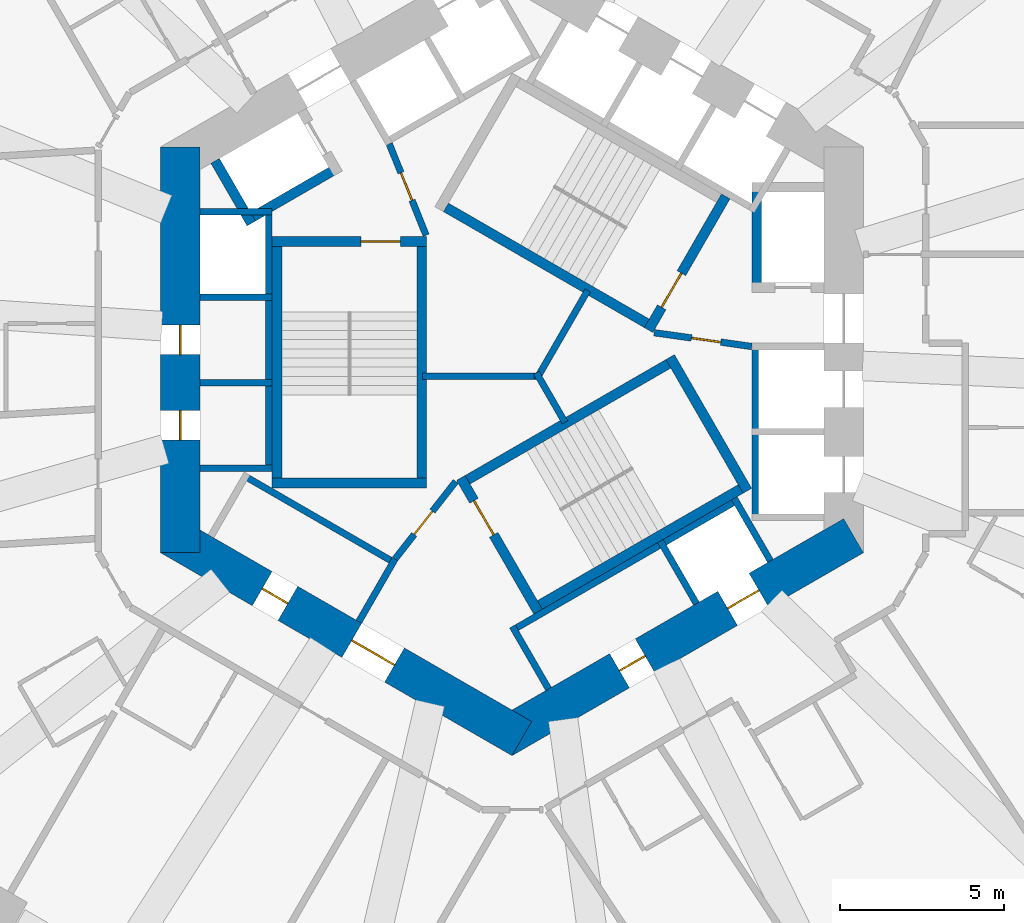
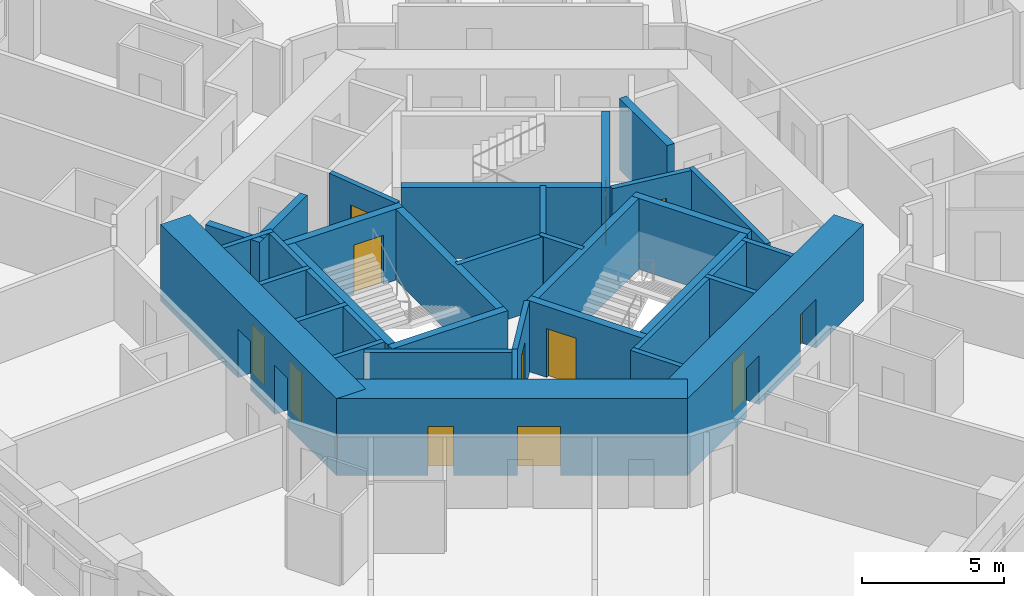
# One storey, part 5 of 12: 34 walls, 12 doors, 12 openings.
"""IFC4 building model written with IfcOpenShell, lengths in metres."""

from ifc_helpers import new_model, si_unit, direction, frame, frame_2d, origin, place, context, subcontext, project, spatial, rectangle, extrude, material, layer, layer_set, type_object, element, fill, save


model = new_model("IFC4")

# Units and contexts
model_context = context("Model", 3, precision=1e-05, world=origin(), true_north=direction((0.0, 1.0)))
body_context = subcontext(model_context, "Body", "Model", "MODEL_VIEW")
ifc_project = project(units=[si_unit("LENGTHUNIT", "METRE"), si_unit("AREAUNIT", "SQUARE_METRE"), si_unit("VOLUMEUNIT", "CUBIC_METRE"), si_unit("PLANEANGLEUNIT", "RADIAN"), si_unit("MASSUNIT", "GRAM", prefix="KILO")], contexts=[model_context])

# Site, building, storey
site_placement = place(None, origin())
site = spatial("IfcSite", under=ifc_project, at=site_placement, CompositionType="ELEMENT")
building_placement = place(site_placement, origin())
building = spatial("IfcBuilding", under=site, at=building_placement, Name="Vanh Sen Convention Tower", CompositionType="ELEMENT")
storey_placement = place(building_placement, frame((0.0, 0.0, 63.800048828125)))
storey = spatial("IfcBuildingStorey", under=building, at=storey_placement, Name="L13", CompositionType="ELEMENT", Elevation=63.800048828125)

# Wall, openings, doors
ifc_material_1 = material(Name="Concrete C80/95", Category="concrete")
ifc_layer_1 = layer(ifc_material_1, 1.199951171875)
ifc_layer_set_1 = layer_set([ifc_layer_1], Name="Concrete C80/95")
wall_type_1 = type_object("IfcWallType", Name="Core outer wall 1200 C80/95", PredefinedType="SHEAR", material=ifc_layer_set_1)
wall_1_placement = place(storey_placement, frame((-10.10009765625, 6.177490234375, 0.0), z_axis=(0.0, 0.0, 1.0), x_axis=(0.0, -1.0, 0.0)))
wall_1 = element("IfcWall", 1, at=wall_1_placement, inside=storey, type_object=wall_type_1, Name="Core wall face W L13", PredefinedType="SHEAR", context=body_context, shape_type="SweptSolid", body=[
    extrude(rectangle(XDim=12.35498046875, YDim=1.199951171875, at=frame_2d((6.177490234375, 0.0))), origin(), (0.0, 0.0, 1.0), 3.300048828125),
])
opening_1_placement = place(wall_1_placement, frame((5.427490234375, 0.0, 0.0)))
opening_1 = element("IfcOpeningElement", 2, at=opening_1_placement, cuts=wall_1, Name="Opening D13010", PredefinedType="OPENING", context=body_context, shape_type="SweptSolid", body=[
    extrude(rectangle(XDim=0.89990234375, YDim=2.10009765625, at=frame_2d((0.449951171875, 1.050048828125))), frame((0.0, 0.60986328125, 0.0), z_axis=(0.0, -1.0, 0.0), x_axis=(1.0, 0.0, 0.0)), (0.0, 0.0, 1.0), 1.219970703125),
])
opening_2_placement = place(wall_1_placement, frame((8.027587890625, 0.0, 0.0)))
opening_2 = element("IfcOpeningElement", 3, at=opening_2_placement, cuts=wall_1, Name="Opening D13011", PredefinedType="OPENING", context=body_context, shape_type="SweptSolid", body=[
    extrude(rectangle(XDim=0.89990234375, YDim=2.10009765625, at=frame_2d((0.449951171875, 1.050048828125))), frame((0.0, 0.60986328125, 0.0), z_axis=(0.0, -1.0, 0.0), x_axis=(1.0, 0.0, 0.0)), (0.0, 0.0, 1.0), 1.219970703125),
])
ifc_material_2 = material(Name="Steel S355", Category="steel")
door_type_1 = type_object("IfcDoorType", Name="Plant door 900", OperationType="SINGLE_SWING_LEFT", PredefinedType="DOOR", material=ifc_material_2)
door_1_placement = place(opening_1_placement, origin())
door_1 = element("IfcDoor", 4, at=door_1_placement, inside=storey, type_object=door_type_1, Name="Plant door D13010", OperationType="SINGLE_SWING_LEFT", OverallHeight=2.10009765625, OverallWidth=0.89990234375, PredefinedType="DOOR", context=body_context, shape_type="SweptSolid", body=[
    extrude(rectangle(XDim=0.89990234375, YDim=2.10009765625, at=frame_2d((0.449951171875, 1.050048828125))), frame((0.0, 0.02490234375, 0.0), z_axis=(0.0, -1.0, 0.0), x_axis=(1.0, 0.0, 0.0)), (0.0, 0.0, 1.0), 0.050048828125),
])
fill(opening_1, door_1)
door_2_placement = place(opening_2_placement, origin())
door_2 = element("IfcDoor", 5, at=door_2_placement, inside=storey, type_object=door_type_1, Name="Plant door D13011", OperationType="SINGLE_SWING_LEFT", OverallHeight=2.10009765625, OverallWidth=0.89990234375, PredefinedType="DOOR", context=body_context, shape_type="SweptSolid", body=[
    extrude(rectangle(XDim=0.89990234375, YDim=2.10009765625, at=frame_2d((0.449951171875, 1.050048828125))), frame((0.0, 0.02490234375, 0.0), z_axis=(0.0, -1.0, 0.0), x_axis=(1.0, 0.0, 0.0)), (0.0, 0.0, 1.0), 0.050048828125),
])
fill(opening_2, door_2)

wall_2_placement = place(storey_placement, frame((-10.39990234375, -5.657958984375, 0.0), z_axis=(0.0, 0.0, 1.0), x_axis=(0.866021384402, -0.500006961711, 0.0)))
wall_2 = element("IfcWall", 6, at=wall_2_placement, inside=storey, type_object=wall_type_1, Name="Core wall face SW L13", PredefinedType="SHEAR", context=body_context, shape_type="SweptSolid", body=[
    extrude(rectangle(XDim=12.355224609375, YDim=1.199951171875, at=frame_2d((6.177734375, 0.0))), origin(), (0.0, 0.0, 1.0), 3.300048828125),
])
opening_3_placement = place(wall_2_placement, frame((6.377685546875, 0.0, 0.0)))
opening_3 = element("IfcOpeningElement", 7, at=opening_3_placement, cuts=wall_2, Name="Opening D13003", PredefinedType="OPENING", context=body_context, shape_type="SweptSolid", body=[
    extrude(rectangle(XDim=1.5, YDim=2.10009765625, at=frame_2d((0.75, 1.050048828125))), frame((0.0, 0.60986328125, 0.0), z_axis=(0.0, -1.0, 0.0), x_axis=(1.0, 0.0, 0.0)), (0.0, 0.0, 1.0), 1.219970703125),
])
opening_4_placement = place(wall_2_placement, frame((3.227783203125, 0.0, 0.0)))
opening_4 = element("IfcOpeningElement", 8, at=opening_4_placement, cuts=wall_2, Name="Opening D13012", PredefinedType="OPENING", context=body_context, shape_type="SweptSolid", body=[
    extrude(rectangle(XDim=0.89990234375, YDim=2.10009765625, at=frame_2d((0.449951171875, 1.050048828125))), frame((0.0, 0.60986328125, 0.0), z_axis=(0.0, -1.0, 0.0), x_axis=(1.0, 0.0, 0.0)), (0.0, 0.0, 1.0), 1.219970703125),
])
door_3_placement = place(opening_4_placement, origin())
door_3 = element("IfcDoor", 9, at=door_3_placement, inside=storey, type_object=door_type_1, Name="Plant door D13012", OperationType="SINGLE_SWING_LEFT", OverallHeight=2.10009765625, OverallWidth=0.89990234375, PredefinedType="DOOR", context=body_context, shape_type="SweptSolid", body=[
    extrude(rectangle(XDim=0.89990234375, YDim=2.10009765625, at=frame_2d((0.449951171875, 1.050048828125))), frame((0.0, 0.02490234375, 0.0), z_axis=(0.0, -1.0, 0.0), x_axis=(1.0, 0.0, 0.0)), (0.0, 0.0, 1.0), 0.050048828125),
])
fill(opening_4, door_3)
door_type_2 = type_object("IfcDoorType", Name="Stair lobby door 1500", OperationType="DOUBLE_DOOR_SINGLE_SWING", PredefinedType="DOOR", material=ifc_material_2)
door_4_placement = place(opening_3_placement, origin())
door_4 = element("IfcDoor", 10, at=door_4_placement, inside=storey, type_object=door_type_2, Name="Stair lobby door D13003", OperationType="DOUBLE_DOOR_SINGLE_SWING", OverallHeight=2.10009765625, OverallWidth=1.5, PredefinedType="DOOR", context=body_context, shape_type="SweptSolid", body=[
    extrude(rectangle(XDim=1.5, YDim=2.10009765625, at=frame_2d((0.75, 1.050048828125))), frame((0.0, 0.02490234375, 0.0), z_axis=(0.0, -1.0, 0.0), x_axis=(1.0, 0.0, 0.0)), (0.0, 0.0, 1.0), 0.050048828125),
])
fill(opening_3, door_4)

wall_3_placement = place(storey_placement, frame((-0.300048828125, -11.835693359375, 0.0), z_axis=(0.0, 0.0, 1.0), x_axis=(0.866021384402, 0.500006961711, 0.0)))
wall_3 = element("IfcWall", 11, at=wall_3_placement, inside=storey, type_object=wall_type_1, Name="Core wall face SE L13", PredefinedType="SHEAR", context=body_context, shape_type="SweptSolid", body=[
    extrude(rectangle(XDim=12.355224609375, YDim=1.199951171875, at=frame_2d((6.177734375, 0.0))), origin(), (0.0, 0.0, 1.0), 3.300048828125),
])
opening_5_placement = place(wall_3_placement, frame((4.127685546875, 0.0, 0.0)))
opening_5 = element("IfcOpeningElement", 12, at=opening_5_placement, cuts=wall_3, Name="Opening D13013", PredefinedType="OPENING", context=body_context, shape_type="SweptSolid", body=[
    extrude(rectangle(XDim=0.89990234375, YDim=2.10009765625, at=frame_2d((0.449951171875, 1.050048828125))), frame((0.0, 0.60986328125, 0.0), z_axis=(0.0, -1.0, 0.0), x_axis=(1.0, 0.0, 0.0)), (0.0, 0.0, 1.0), 1.219970703125),
])
opening_6_placement = place(wall_3_placement, frame((7.927734375, 0.0, 0.0)))
opening_6 = element("IfcOpeningElement", 13, at=opening_6_placement, cuts=wall_3, Name="Opening LD-SV1", PredefinedType="OPENING", context=body_context, shape_type="SweptSolid", body=[
    extrude(rectangle(XDim=1.10009765625, YDim=2.10009765625, at=frame_2d((0.550048828125, 1.050048828125))), frame((0.0, 0.60986328125, 0.0), z_axis=(0.0, -1.0, 0.0), x_axis=(1.0, 0.0, 0.0)), (0.0, 0.0, 1.0), 1.219970703125),
])
ifc_material_3 = material(Name="Stainless steel", Category="steel")
door_type_3 = type_object("IfcDoorType", Name="Lift landing door 1100", OperationType="DOUBLE_DOOR_SLIDING", PredefinedType="DOOR", material=ifc_material_3)
door_5_placement = place(opening_6_placement, origin())
door_5 = element("IfcDoor", 14, at=door_5_placement, inside=storey, type_object=door_type_3, Name="Lift SV1 landing door LD-SV1", OperationType="DOUBLE_DOOR_SLIDING", OverallHeight=2.10009765625, OverallWidth=1.10009765625, PredefinedType="DOOR", context=body_context, shape_type="SweptSolid", body=[
    extrude(rectangle(XDim=1.10009765625, YDim=2.10009765625, at=frame_2d((0.550048828125, 1.050048828125))), frame((0.0, 0.02490234375, 0.0), z_axis=(0.0, -1.0, 0.0), x_axis=(1.0, 0.0, 0.0)), (0.0, 0.0, 1.0), 0.050048828125),
])
fill(opening_6, door_5)
door_6_placement = place(opening_5_placement, origin())
door_6 = element("IfcDoor", 15, at=door_6_placement, inside=storey, type_object=door_type_1, Name="Plant door D13013", OperationType="SINGLE_SWING_LEFT", OverallHeight=2.10009765625, OverallWidth=0.89990234375, PredefinedType="DOOR", context=body_context, shape_type="SweptSolid", body=[
    extrude(rectangle(XDim=0.89990234375, YDim=2.10009765625, at=frame_2d((0.449951171875, 1.050048828125))), frame((0.0, 0.02490234375, 0.0), z_axis=(0.0, -1.0, 0.0), x_axis=(1.0, 0.0, 0.0)), (0.0, 0.0, 1.0), 0.050048828125),
])
fill(opening_5, door_6)

# Walls
ifc_material_4 = material(Name="Masonry blockwork", Category="masonry")
ifc_layer_2 = layer(ifc_material_4, 0.199951171875)
ifc_layer_set_2 = layer_set([ifc_layer_2], Name="Masonry blockwork")
wall_type_2 = type_object("IfcWallType", Name="Core partition 200", PredefinedType="PARTITIONING", material=ifc_layer_set_2)
wall_4_placement = place(storey_placement, frame((0.919921875, -0.800048828125, 0.0), z_axis=(0.0, 0.0, 1.0), x_axis=(-1.0, 0.0, 0.0)))
element("IfcWall", 16, at=wall_4_placement, inside=storey, type_object=wall_type_2, Name="Core partition L13", PredefinedType="PARTITIONING", context=body_context, shape_type="SweptSolid", body=[
    extrude(rectangle(XDim=3.639892578125, YDim=0.199951171875, at=frame_2d((1.81982421875, 0.0))), origin(), (0.0, 0.0, 1.0), 3.050048828125),
])
wall_5_placement = place(storey_placement, frame((0.739990234375, -0.90380859375, 0.0), z_axis=(0.0, 0.0, 1.0), x_axis=(0.500028278809, 0.866009076391, 0.0)))
element("IfcWall", 17, at=wall_5_placement, inside=storey, type_object=wall_type_2, Name="Core partition L13", PredefinedType="PARTITIONING", context=body_context, shape_type="SweptSolid", body=[
    extrude(rectangle(XDim=3.132568359375, YDim=0.199951171875, at=frame_2d((1.56640625, 0.0))), origin(), (0.0, 0.0, 1.0), 3.050048828125),
])
wall_6_placement = place(storey_placement, frame((0.739990234375, -0.696044921875, 0.0), z_axis=(0.0, 0.0, 1.0), x_axis=(0.499956301907, -0.86605063142, 0.0)))
element("IfcWall", 18, at=wall_6_placement, inside=storey, type_object=wall_type_2, Name="Core partition L13", PredefinedType="PARTITIONING", context=body_context, shape_type="SweptSolid", body=[
    extrude(rectangle(XDim=1.747314453125, YDim=0.199951171875, at=frame_2d((0.87353515625, 0.0))), origin(), (0.0, 0.0, 1.0), 3.050048828125),
])
ifc_material_5 = material(Name="Concrete C60/75", Category="concrete")
ifc_layer_3 = layer(ifc_material_5, 0.300048828125)
ifc_layer_set_3 = layer_set([ifc_layer_3], Name="Concrete C60/75")
wall_type_3 = type_object("IfcWallType", Name="Fire-fighting lift shaft wall 300", PredefinedType="SHEAR", material=ifc_layer_set_3)
wall_7_placement = place(storey_placement, frame((7.449951171875, 1.75, 0.0), z_axis=(0.0, 0.0, 1.0), x_axis=(0.0, 1.0, 0.0)))
element("IfcWall", 19, at=wall_7_placement, inside=storey, type_object=wall_type_3, Name="Fire-fighting lift shaft wall L13", PredefinedType="SHEAR", context=body_context, shape_type="SweptSolid", body=[
    extrude(rectangle(XDim=3.35009765625, YDim=0.300048828125, at=frame_2d((1.675048828125, 0.0))), origin(), (0.0, 0.0, 1.0), 3.050048828125),
])
wall_8_placement = place(storey_placement, frame((-5.240478515625, 5.576904296875, 0.0), z_axis=(0.0, 0.0, 1.0), x_axis=(-0.866014461049, -0.500018952895, 0.0)))
element("IfcWall", 20, at=wall_8_placement, inside=storey, type_object=wall_type_3, Name="Fire-fighting lift shaft wall L13", PredefinedType="SHEAR", context=body_context, shape_type="SweptSolid", body=[
    extrude(rectangle(XDim=3.349853515625, YDim=0.300048828125, at=frame_2d((1.6748046875, 0.0))), origin(), (0.0, 0.0, 1.0), 3.050048828125),
])
wall_9_placement = place(storey_placement, frame((-7.936767578125, 3.846923828125, 0.0), z_axis=(0.0, 0.0, 1.0), x_axis=(-0.50002983664, 0.866008176907, 0.0)))
element("IfcWall", 21, at=wall_9_placement, inside=storey, type_object=wall_type_3, Name="Fire-fighting lift shaft wall L13", PredefinedType="SHEAR", context=body_context, shape_type="SweptSolid", body=[
    extrude(rectangle(XDim=2.199951171875, YDim=0.300048828125, at=frame_2d((1.10009765625, 0.0))), origin(), (0.0, 0.0, 1.0), 3.050048828125),
])
ifc_material_6 = material(Name="Concrete C40/50", Category="concrete")
ifc_layer_4 = layer(ifc_material_6, 0.199951171875)
ifc_layer_set_4 = layer_set([ifc_layer_4], Name="Concrete C40/50")
wall_type_4 = type_object("IfcWallType", Name="Lift shaft wall 200", PredefinedType="PARTITIONING", material=ifc_layer_set_4)
wall_10_placement = place(storey_placement, frame((7.39990234375, -5.199951171875, 0.0), z_axis=(0.0, 0.0, 1.0), x_axis=(0.0, 1.0, 0.0)))
element("IfcWall", 22, at=wall_10_placement, inside=storey, type_object=wall_type_4, Name="Lift shaft wall L13", PredefinedType="PARTITIONING", context=body_context, shape_type="SweptSolid", body=[
    extrude(rectangle(XDim=5.39990234375, YDim=0.199951171875, at=frame_2d((2.699951171875, 0.0))), origin(), (0.0, 0.0, 1.0), 3.050048828125),
])
wall_11_placement = place(storey_placement, frame((-7.39990234375, 4.300048828125, 0.0), z_axis=(0.0, 0.0, 1.0), x_axis=(0.0, -1.0, 0.0)))
element("IfcWall", 23, at=wall_11_placement, inside=storey, type_object=wall_type_4, Name="Lift shaft wall L13", PredefinedType="PARTITIONING", context=body_context, shape_type="SweptSolid", body=[
    extrude(rectangle(XDim=8.0, YDim=0.199951171875, at=frame_2d((4.0, 0.0))), origin(), (0.0, 0.0, 1.0), 3.050048828125),
])
for number, where, z_axis, x_axis, name in (
    (24, (-7.300048828125, 4.199951171875, 0.0), (0.0, 0.0, 1.0), (-1.0, 0.0, 0.0), "Lift shaft wall L13"),
    (25, (-7.300048828125, 1.60009765625, 0.0), (0.0, 0.0, 1.0), (-1.0, 0.0, 0.0), "Lift shaft wall L13"),
    (26, (-7.300048828125, -1.0, 0.0), (0.0, 0.0, 1.0), (-1.0, 0.0, 0.0), "Lift shaft wall L13"),
    (27, (-7.300048828125, -3.60009765625, 0.0), (0.0, 0.0, 1.0), (-1.0, 0.0, 0.0), "Lift shaft wall L13"),
):
    element("IfcWall", number, at=place(storey_placement, frame(where, z_axis=z_axis, x_axis=x_axis)), inside=storey, type_object=wall_type_4, Name=name, PredefinedType="PARTITIONING", context=body_context, shape_type="SweptSolid", body=[
        extrude(rectangle(XDim=2.199951171875, YDim=0.199951171875, at=frame_2d((1.10009765625, 0.0))), origin(), (0.0, 0.0, 1.0), 3.050048828125),
    ])
wall_12_placement = place(storey_placement, frame((-8.203369140625, -3.80859375, 0.0), z_axis=(0.0, 0.0, 1.0), x_axis=(0.866028230842, -0.499995103361, 0.0)))
element("IfcWall", 28, at=wall_12_placement, inside=storey, type_object=wall_type_4, Name="Lift shaft wall L13", PredefinedType="PARTITIONING", context=body_context, shape_type="SweptSolid", body=[
    extrude(rectangle(XDim=5.39990234375, YDim=0.199951171875, at=frame_2d((2.699951171875, 0.0))), origin(), (0.0, 0.0, 1.0), 3.050048828125),
])
wall_13_placement = place(storey_placement, frame((-3.5634765625, -6.3720703125, 0.0), z_axis=(0.0, 0.0, 1.0), x_axis=(-0.499994660107, -0.866028486751, 0.0)))
element("IfcWall", 29, at=wall_13_placement, inside=storey, type_object=wall_type_4, Name="Lift shaft wall L13", PredefinedType="PARTITIONING", context=body_context, shape_type="SweptSolid", body=[
    extrude(rectangle(XDim=2.19970703125, YDim=0.199951171875, at=frame_2d((1.099853515625, 0.0))), origin(), (0.0, 0.0, 1.0), 3.050048828125),
])
wall_14_placement = place(storey_placement, frame((-0.02392578125, -8.55859375, 0.0), z_axis=(0.0, 0.0, 1.0), x_axis=(0.866026010844, 0.49999894854, 0.0)))
element("IfcWall", 30, at=wall_14_placement, inside=storey, type_object=wall_type_4, Name="Lift shaft wall L13", PredefinedType="PARTITIONING", context=body_context, shape_type="SweptSolid", body=[
    extrude(rectangle(XDim=8.0, YDim=0.199951171875, at=frame_2d((4.0, 0.0))), origin(), (0.0, 0.0, 1.0), 3.050048828125),
])
for number, where, z_axis, x_axis, name in (
    (31, (0.0126953125, -8.422119140625, 0.0), (0.0, 0.0, 1.0), (0.500077893725, -0.86598042715, 0.0), "Lift shaft wall L13"),
    (32, (4.51611328125, -5.822021484375, 0.0), (0.0, 0.0, 1.0), (0.499946605688, -0.86605622881, 0.0), "Lift shaft wall L13"),
    (33, (6.767578125, -4.52197265625, 0.0), (0.0, 0.0, 1.0), (0.50002983664, -0.866008176907, 0.0), "Lift shaft wall L13"),
):
    element("IfcWall", number, at=place(storey_placement, frame(where, z_axis=z_axis, x_axis=x_axis)), inside=storey, type_object=wall_type_4, Name=name, PredefinedType="PARTITIONING", context=body_context, shape_type="SweptSolid", body=[
        extrude(rectangle(XDim=2.199951171875, YDim=0.199951171875, at=frame_2d((1.10009765625, 0.0))), origin(), (0.0, 0.0, 1.0), 3.050048828125),
    ])

# Wall, opening, door
ifc_layer_5 = layer(ifc_material_6, 0.199951171875)
ifc_layer_set_5 = layer_set([ifc_layer_5], Name="Concrete C40/50")
wall_type_5 = type_object("IfcWallType", Name="Stair lobby wall 200", PredefinedType="PARTITIONING", material=ifc_layer_set_5)
wall_15_placement = place(storey_placement, frame((4.327392578125, 0.52099609375, 0.0), z_axis=(0.0, 0.0, 1.0), x_axis=(0.990124376366, -0.14019172346, 0.0)))
wall_15 = element("IfcWall", 34, at=wall_15_placement, inside=storey, type_object=wall_type_5, Name="Stair lobby wall L13", PredefinedType="PARTITIONING", context=body_context, shape_type="SweptSolid", body=[
    extrude(rectangle(XDim=3.002197265625, YDim=0.199951171875, at=frame_2d((1.5009765625, 0.0))), origin(), (0.0, 0.0, 1.0), 3.050048828125),
])
opening_7_placement = place(wall_15_placement, frame((1.14990234375, 0.0, 0.0)))
opening_7 = element("IfcOpeningElement", 35, at=opening_7_placement, cuts=wall_15, Name="Opening D13007", PredefinedType="OPENING", context=body_context, shape_type="SweptSolid", body=[
    extrude(rectangle(XDim=0.89990234375, YDim=2.10009765625, at=frame_2d((0.449951171875, 1.050048828125))), frame((0.0, 0.10986328125, 0.0), z_axis=(0.0, -1.0, 0.0), x_axis=(1.0, 0.0, 0.0)), (0.0, 0.0, 1.0), 0.219970703125),
])
door_7_placement = place(opening_7_placement, origin())
door_7 = element("IfcDoor", 36, at=door_7_placement, inside=storey, type_object=door_type_1, Name="Plant door D13007", OperationType="SINGLE_SWING_LEFT", OverallHeight=2.10009765625, OverallWidth=0.89990234375, PredefinedType="DOOR", context=body_context, shape_type="SweptSolid", body=[
    extrude(rectangle(XDim=0.89990234375, YDim=2.10009765625, at=frame_2d((0.449951171875, 1.050048828125))), frame((0.0, 0.02490234375, 0.0), z_axis=(0.0, -1.0, 0.0), x_axis=(1.0, 0.0, 0.0)), (0.0, 0.0, 1.0), 0.050048828125),
])
fill(opening_7, door_7)

wall_16_placement = place(storey_placement, frame((-2.614990234375, 3.487060546875, 0.0), z_axis=(0.0, 0.0, 1.0), x_axis=(-0.373576831041, 0.92759924068, 0.0)))
wall_16 = element("IfcWall", 37, at=wall_16_placement, inside=storey, type_object=wall_type_5, Name="Stair lobby wall L13", PredefinedType="PARTITIONING", context=body_context, shape_type="SweptSolid", body=[
    extrude(rectangle(XDim=3.002197265625, YDim=0.199951171875, at=frame_2d((1.5009765625, 0.0))), origin(), (0.0, 0.0, 1.0), 3.050048828125),
])
opening_8_placement = place(wall_16_placement, frame((1.14990234375, 0.0, 0.0)))
opening_8 = element("IfcOpeningElement", 38, at=opening_8_placement, cuts=wall_16, Name="Opening D13008", PredefinedType="OPENING", context=body_context, shape_type="SweptSolid", body=[
    extrude(rectangle(XDim=0.89990234375, YDim=2.10009765625, at=frame_2d((0.449951171875, 1.050048828125))), frame((0.0, 0.10986328125, 0.0), z_axis=(0.0, -1.0, 0.0), x_axis=(1.0, 0.0, 0.0)), (0.0, 0.0, 1.0), 0.219970703125),
])
door_8_placement = place(opening_8_placement, origin())
door_8 = element("IfcDoor", 39, at=door_8_placement, inside=storey, type_object=door_type_1, Name="Plant door D13008", OperationType="SINGLE_SWING_LEFT", OverallHeight=2.10009765625, OverallWidth=0.89990234375, PredefinedType="DOOR", context=body_context, shape_type="SweptSolid", body=[
    extrude(rectangle(XDim=0.89990234375, YDim=2.10009765625, at=frame_2d((0.449951171875, 1.050048828125))), frame((0.0, 0.02490234375, 0.0), z_axis=(0.0, -1.0, 0.0), x_axis=(1.0, 0.0, 0.0)), (0.0, 0.0, 1.0), 0.050048828125),
])
fill(opening_8, door_8)

wall_17_placement = place(storey_placement, frame((-1.71240234375, -4.00830078125, 0.0), z_axis=(0.0, 0.0, 1.0), x_axis=(-0.616549420702, -0.787316208287, 0.0)))
wall_17 = element("IfcWall", 40, at=wall_17_placement, inside=storey, type_object=wall_type_5, Name="Stair lobby wall L13", PredefinedType="PARTITIONING", context=body_context, shape_type="SweptSolid", body=[
    extrude(rectangle(XDim=3.002197265625, YDim=0.199951171875, at=frame_2d((1.5009765625, 0.0))), origin(), (0.0, 0.0, 1.0), 3.050048828125),
])
opening_9_placement = place(wall_17_placement, frame((1.14990234375, 0.0, 0.0)))
opening_9 = element("IfcOpeningElement", 41, at=opening_9_placement, cuts=wall_17, Name="Opening D13009", PredefinedType="OPENING", context=body_context, shape_type="SweptSolid", body=[
    extrude(rectangle(XDim=0.89990234375, YDim=2.10009765625, at=frame_2d((0.449951171875, 1.050048828125))), frame((0.0, 0.10986328125, 0.0), z_axis=(0.0, -1.0, 0.0), x_axis=(1.0, 0.0, 0.0)), (0.0, 0.0, 1.0), 0.219970703125),
])
door_9_placement = place(opening_9_placement, origin())
door_9 = element("IfcDoor", 42, at=door_9_placement, inside=storey, type_object=door_type_1, Name="Plant door D13009", OperationType="SINGLE_SWING_LEFT", OverallHeight=2.10009765625, OverallWidth=0.89990234375, PredefinedType="DOOR", context=body_context, shape_type="SweptSolid", body=[
    extrude(rectangle(XDim=0.89990234375, YDim=2.10009765625, at=frame_2d((0.449951171875, 1.050048828125))), frame((0.0, 0.02490234375, 0.0), z_axis=(0.0, -1.0, 0.0), x_axis=(1.0, 0.0, 0.0)), (0.0, 0.0, 1.0), 0.050048828125),
])
fill(opening_9, door_9)

ifc_layer_6 = layer(ifc_material_5, 0.300048828125)
ifc_layer_set_6 = layer_set([ifc_layer_6], Name="Concrete C60/75")
wall_type_6 = type_object("IfcWallType", Name="Stair wall 300", PredefinedType="SHEAR", material=ifc_layer_set_6)
wall_18_placement = place(storey_placement, frame((4.157958984375, 0.601806640625, 0.0), z_axis=(0.0, 0.0, 1.0), x_axis=(0.499977259774, 0.866038532462, 0.0)))
wall_18 = element("IfcWall", 43, at=wall_18_placement, inside=storey, type_object=wall_type_6, Name="Stair wall L13", PredefinedType="SHEAR", context=body_context, shape_type="SweptSolid", body=[
    extrude(rectangle(XDim=4.699951171875, YDim=0.300048828125, at=frame_2d((2.35009765625, 0.0))), origin(), (0.0, 0.0, 1.0), 3.050048828125),
])
opening_10_placement = place(wall_18_placement, frame((0.800048828125, 0.0, 0.0)))
opening_10 = element("IfcOpeningElement", 44, at=opening_10_placement, cuts=wall_18, Name="Opening D13004", PredefinedType="OPENING", context=body_context, shape_type="SweptSolid", body=[
    extrude(rectangle(XDim=1.199951171875, YDim=2.10009765625, at=frame_2d((0.60009765625, 1.050048828125))), frame((0.0, 0.159912109375, 0.0), z_axis=(0.0, -1.0, 0.0), x_axis=(1.0, 0.0, 0.0)), (0.0, 0.0, 1.0), 0.320068359375),
])
door_type_4 = type_object("IfcDoorType", Name="Stair door 1200", OperationType="SINGLE_SWING_RIGHT", PredefinedType="DOOR", material=ifc_material_2)
door_10_placement = place(opening_10_placement, origin())
door_10 = element("IfcDoor", 45, at=door_10_placement, inside=storey, type_object=door_type_4, Name="Stair ST1 door D13004", OperationType="SINGLE_SWING_RIGHT", OverallHeight=2.10009765625, OverallWidth=1.199951171875, PredefinedType="DOOR", context=body_context, shape_type="SweptSolid", body=[
    extrude(rectangle(XDim=1.199951171875, YDim=2.10009765625, at=frame_2d((0.60009765625, 1.050048828125))), frame((0.0, 0.02490234375, 0.0), z_axis=(0.0, -1.0, 0.0), x_axis=(1.0, 0.0, 0.0)), (0.0, 0.0, 1.0), 0.050048828125),
])
fill(opening_10, door_10)

# Wall
wall_19_placement = place(storey_placement, frame((4.10302734375, 0.806640625, 0.0), z_axis=(0.0, 0.0, 1.0), x_axis=(-0.866027801685, 0.499995846692, 0.0)))
element("IfcWall", 46, at=wall_19_placement, inside=storey, type_object=wall_type_6, Name="Stair wall L13", PredefinedType="SHEAR", context=body_context, shape_type="SweptSolid", body=[
    extrude(rectangle(XDim=7.06005859375, YDim=0.300048828125, at=frame_2d((3.530029296875, 0.0))), origin(), (0.0, 0.0, 1.0), 3.050048828125),
])

# Wall, opening, door
wall_20_placement = place(storey_placement, frame((-2.60009765625, 3.300048828125, 0.0), z_axis=(0.0, 0.0, 1.0), x_axis=(-1.0, 0.0, 0.0)))
wall_20 = element("IfcWall", 47, at=wall_20_placement, inside=storey, type_object=wall_type_6, Name="Stair wall L13", PredefinedType="SHEAR", context=body_context, shape_type="SweptSolid", body=[
    extrude(rectangle(XDim=4.699951171875, YDim=0.300048828125, at=frame_2d((2.35009765625, 0.0))), origin(), (0.0, 0.0, 1.0), 3.050048828125),
])
opening_11_placement = place(wall_20_placement, frame((0.800048828125, 0.0, 0.0)))
opening_11 = element("IfcOpeningElement", 48, at=opening_11_placement, cuts=wall_20, Name="Opening D13005", PredefinedType="OPENING", context=body_context, shape_type="SweptSolid", body=[
    extrude(rectangle(XDim=1.199951171875, YDim=2.10009765625, at=frame_2d((0.60009765625, 1.050048828125))), frame((0.0, 0.159912109375, 0.0), z_axis=(0.0, -1.0, 0.0), x_axis=(1.0, 0.0, 0.0)), (0.0, 0.0, 1.0), 0.320068359375),
])
door_11_placement = place(opening_11_placement, origin())
door_11 = element("IfcDoor", 49, at=door_11_placement, inside=storey, type_object=door_type_4, Name="Stair ST2 door D13005", OperationType="SINGLE_SWING_RIGHT", OverallHeight=2.10009765625, OverallWidth=1.199951171875, PredefinedType="DOOR", context=body_context, shape_type="SweptSolid", body=[
    extrude(rectangle(XDim=1.199951171875, YDim=2.10009765625, at=frame_2d((0.60009765625, 1.050048828125))), frame((0.0, 0.02490234375, 0.0), z_axis=(0.0, -1.0, 0.0), x_axis=(1.0, 0.0, 0.0)), (0.0, 0.0, 1.0), 0.050048828125),
])
fill(opening_11, door_11)

# Walls
wall_21_placement = place(storey_placement, frame((-2.60009765625, -4.06005859375, 0.0), z_axis=(0.0, 0.0, 1.0), x_axis=(-1.0, 0.0, 0.0)))
element("IfcWall", 50, at=wall_21_placement, inside=storey, type_object=wall_type_6, Name="Stair wall L13", PredefinedType="SHEAR", context=body_context, shape_type="SweptSolid", body=[
    extrude(rectangle(XDim=4.699951171875, YDim=0.300048828125, at=frame_2d((2.35009765625, 0.0))), origin(), (0.0, 0.0, 1.0), 3.050048828125),
])
for number, where, z_axis, x_axis, name in (
    (51, (-2.75, 3.14990234375, 0.0), (0.0, 0.0, 1.0), (0.0, -1.0, 0.0), "Stair wall L13"),
    (52, (-7.14990234375, 3.14990234375, 0.0), (0.0, 0.0, 1.0), (0.0, -1.0, 0.0), "Stair wall L13"),
):
    element("IfcWall", number, at=place(storey_placement, frame(where, z_axis=z_axis, x_axis=x_axis)), inside=storey, type_object=wall_type_6, Name=name, PredefinedType="SHEAR", context=body_context, shape_type="SweptSolid", body=[
        extrude(rectangle(XDim=7.059814453125, YDim=0.300048828125, at=frame_2d((3.52978515625, 0.0))), origin(), (0.0, 0.0, 1.0), 3.050048828125),
    ])

# Wall, opening, door
wall_22_placement = place(storey_placement, frame((-1.557861328125, -3.901611328125, 0.0), z_axis=(0.0, 0.0, 1.0), x_axis=(0.499977259774, -0.866038532462, 0.0)))
wall_22 = element("IfcWall", 53, at=wall_22_placement, inside=storey, type_object=wall_type_6, Name="Stair wall L13", PredefinedType="SHEAR", context=body_context, shape_type="SweptSolid", body=[
    extrude(rectangle(XDim=4.699951171875, YDim=0.300048828125, at=frame_2d((2.35009765625, 0.0))), origin(), (0.0, 0.0, 1.0), 3.050048828125),
])
opening_12_placement = place(wall_22_placement, frame((0.800048828125, 0.0, 0.0)))
opening_12 = element("IfcOpeningElement", 54, at=opening_12_placement, cuts=wall_22, Name="Opening D13006", PredefinedType="OPENING", context=body_context, shape_type="SweptSolid", body=[
    extrude(rectangle(XDim=1.199951171875, YDim=2.10009765625, at=frame_2d((0.60009765625, 1.050048828125))), frame((0.0, 0.159912109375, 0.0), z_axis=(0.0, -1.0, 0.0), x_axis=(1.0, 0.0, 0.0)), (0.0, 0.0, 1.0), 0.320068359375),
])
door_12_placement = place(opening_12_placement, origin())
door_12 = element("IfcDoor", 55, at=door_12_placement, inside=storey, type_object=door_type_4, Name="Stair ST3 door D13006", OperationType="SINGLE_SWING_RIGHT", OverallHeight=2.10009765625, OverallWidth=1.199951171875, PredefinedType="DOOR", context=body_context, shape_type="SweptSolid", body=[
    extrude(rectangle(XDim=1.199951171875, YDim=2.10009765625, at=frame_2d((0.60009765625, 1.050048828125))), frame((0.0, 0.02490234375, 0.0), z_axis=(0.0, -1.0, 0.0), x_axis=(1.0, 0.0, 0.0)), (0.0, 0.0, 1.0), 0.050048828125),
])
fill(opening_12, door_12)

# Walls
wall_23_placement = place(storey_placement, frame((4.816162109375, -0.2216796875, 0.0), z_axis=(0.0, 0.0, 1.0), x_axis=(0.499977259774, -0.866038532462, 0.0)))
element("IfcWall", 56, at=wall_23_placement, inside=storey, type_object=wall_type_6, Name="Stair wall L13", PredefinedType="SHEAR", context=body_context, shape_type="SweptSolid", body=[
    extrude(rectangle(XDim=4.699951171875, YDim=0.300048828125, at=frame_2d((2.35009765625, 0.0))), origin(), (0.0, 0.0, 1.0), 3.050048828125),
])
for number, where, z_axis, x_axis, name in (
    (57, (-1.35302734375, -3.95654296875, 0.0), (0.0, 0.0, 1.0), (0.866027801685, 0.499995846692, 0.0), "Stair wall L13"),
    (58, (0.846923828125, -7.76708984375, 0.0), (0.0, 0.0, 1.0), (0.866027801685, 0.499995846692, 0.0), "Stair wall L13"),
):
    element("IfcWall", number, at=place(storey_placement, frame(where, z_axis=z_axis, x_axis=x_axis)), inside=storey, type_object=wall_type_6, Name=name, PredefinedType="SHEAR", context=body_context, shape_type="SweptSolid", body=[
        extrude(rectangle(XDim=7.06005859375, YDim=0.300048828125, at=frame_2d((3.530029296875, 0.0))), origin(), (0.0, 0.0, 1.0), 3.050048828125),
    ])

save(model, "model.ifc")
